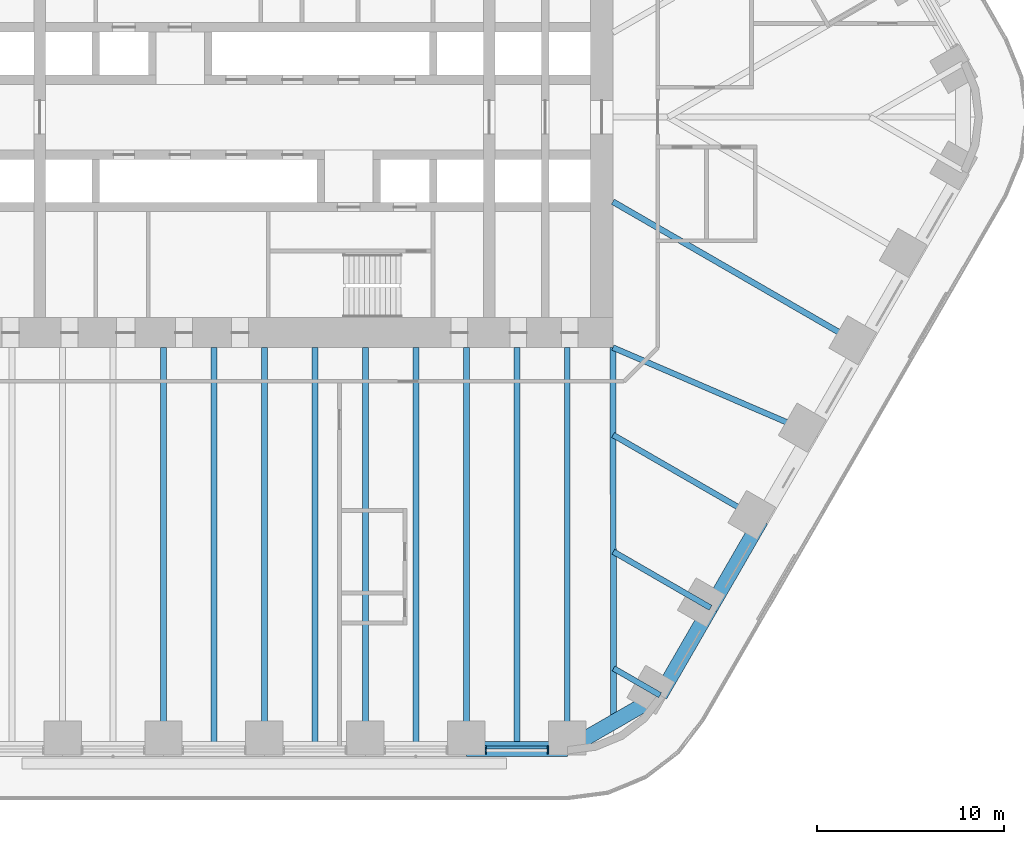
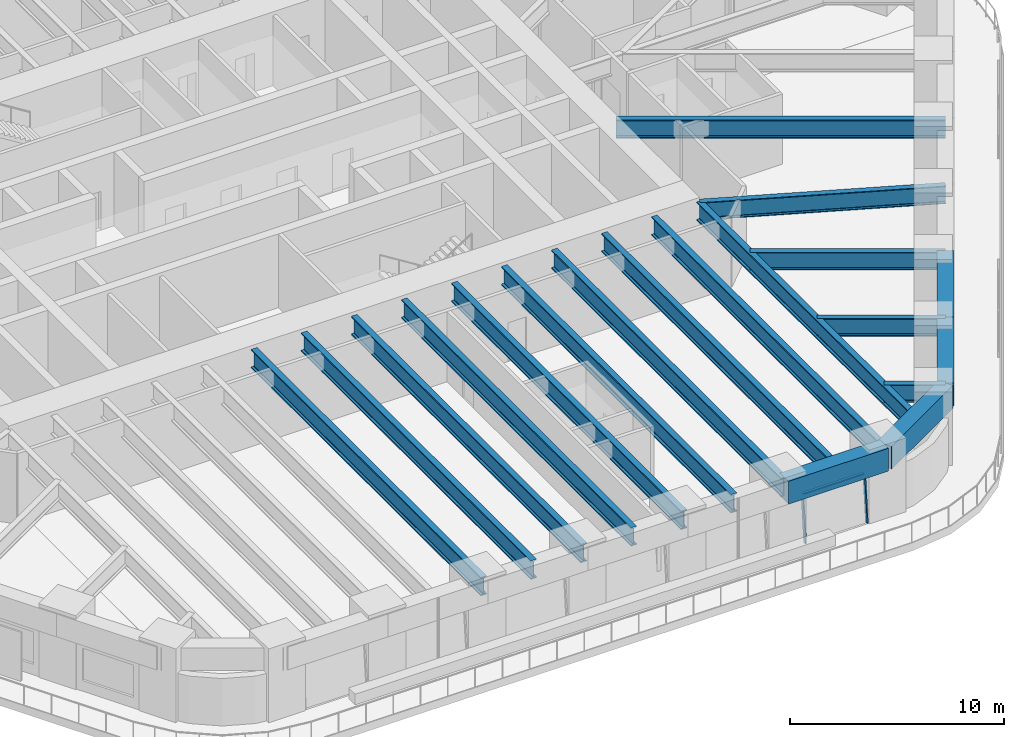
# One storey, part 5 of 23: 19 beams, 3 members, 1 element without a shape of its own.
"""IFC4 building model written with IfcOpenShell, lengths in metres."""

from ifc_helpers import new_model, si_unit, direction, frame, origin, origin_2d, place, context, subcontext, project, spatial, rectangle, i_section, extrude, material, material_profile, profile_set, type_object, element, aggregate, save


model = new_model("IFC4")

# Units and contexts
model_context = context("Model", 3, precision=1e-05, world=origin(), true_north=direction((0.0, 1.0)))
body_context = subcontext(model_context, "Body", "Model", "MODEL_VIEW")
ifc_project = project(units=[si_unit("LENGTHUNIT", "METRE"), si_unit("AREAUNIT", "SQUARE_METRE"), si_unit("VOLUMEUNIT", "CUBIC_METRE"), si_unit("PLANEANGLEUNIT", "RADIAN"), si_unit("MASSUNIT", "GRAM", prefix="KILO")], contexts=[model_context])

# Site, building, storey
site_placement = place(None, origin())
site = spatial("IfcSite", under=ifc_project, at=site_placement, CompositionType="ELEMENT")
building_placement = place(site_placement, origin())
building = spatial("IfcBuilding", under=site, at=building_placement, Name="Tarfa Lantern Tower", CompositionType="ELEMENT")
storey_placement = place(building_placement, frame((0.0, 0.0, 48.699951171875)))
storey = spatial("IfcBuildingStorey", under=building, at=storey_placement, Name="L10", CompositionType="ELEMENT", Elevation=48.699951171875)

# Curtain wall, members
ifc_material_1 = material(Name="Aluminium framed curtain wall", Category="aluminium")
curtain_wall_type = type_object("IfcCurtainWallType", Name="CW1 CANTED GLAZING LOW ZONE 2700", PredefinedType="USERDEFINED", material=ifc_material_1)
curtain_wall_placement = place(storey_placement, origin())
curtain_wall = element("IfcCurtainWall", 1, at=curtain_wall_placement, inside=storey, type_object=curtain_wall_type, Name="CW1 S L10", ObjectType="CURTAIN WALL", PredefinedType="USERDEFINED")
ifc_material_2 = material(Name="Aluminium mullion", Category="aluminium")
ifc_material_profile_1 = material_profile(ifc_material_2, rectangle(XDim=0.06494140625, YDim=0.199951171875, at=origin_2d()), Name="AL MULLION 65x200")
ifc_profile_set_1 = profile_set([ifc_material_profile_1], Name="Aluminium mullion")
member_type_1 = type_object("IfcMemberType", Name="CWM1 MULLION 65x200", PredefinedType="MULLION", material=ifc_profile_set_1)
member_1_placement = place(storey_placement, frame((11.809814453125, -33.89990234375, 0.0), z_axis=(0.0, 0.092199863775, 0.995740520979), x_axis=(-1.0, 0.0, 0.0)))
member_1 = element("IfcMember", 2, at=member_1_placement, type_object=member_type_1, Name="CW1 mullion 1", PredefinedType="MULLION", context=body_context, shape_type="SweptSolid", body=[
    extrude(rectangle(XDim=0.06494140625, YDim=0.199951171875, at=origin_2d()), origin(), (0.0, 0.0, 1.0), 2.71142578125),
])
member_2_placement = place(storey_placement, frame((15.13330078125, -33.89990234375, 0.0), z_axis=(0.0, 0.092199863775, 0.995740520979), x_axis=(-1.0, 0.0, 0.0)))
member_2 = element("IfcMember", 3, at=member_2_placement, type_object=member_type_1, Name="CW1 mullion 2", PredefinedType="MULLION", context=body_context, shape_type="SweptSolid", body=[
    extrude(rectangle(XDim=0.06494140625, YDim=0.199951171875, at=origin_2d()), origin(), (0.0, 0.0, 1.0), 2.71142578125),
])
ifc_material_3 = material(Name="Aluminium transom", Category="aluminium")
ifc_material_profile_2 = material_profile(ifc_material_3, rectangle(XDim=0.14990234375, YDim=0.06494140625, at=origin_2d()), Name="AL TRANSOM 150x65")
ifc_profile_set_2 = profile_set([ifc_material_profile_2], Name="Aluminium transom")
member_type_2 = type_object("IfcMemberType", Name="CWT1 TRANSOM 150x65", PredefinedType="USERDEFINED", material=ifc_profile_set_2)
member_3_placement = place(storey_placement, frame((11.84228515625, -33.653076171875, 2.66748046875), z_axis=(1.0, 0.0, 0.0), x_axis=(0.0, 1.0, 0.0)))
member_3 = element("IfcMember", 4, at=member_3_placement, type_object=member_type_2, Name="CW1 transom 1.2", ObjectType="TRANSOM", PredefinedType="USERDEFINED", context=body_context, shape_type="SweptSolid", body=[
    extrude(rectangle(XDim=0.14990234375, YDim=0.06494140625, at=origin_2d()), origin(), (0.0, 0.0, 1.0), 3.258544921875),
])
aggregate(curtain_wall, [member_1, member_2, member_3])

# Beams
ifc_material_4 = material(Name="Concrete C80/95", Category="concrete")
ifc_material_profile_3 = material_profile(ifc_material_4, rectangle(XDim=0.800048828125, YDim=1.300048828125, at=origin_2d()), Name="RC 800x1300")
ifc_profile_set_3 = profile_set([ifc_material_profile_3], Name="Concrete C80/95")
beam_type_1 = type_object("IfcBeamType", Name="EB1 RC 800x1300", PredefinedType="SPANDREL", material=ifc_profile_set_3)
beam_1_placement = place(storey_placement, frame((10.777099609375, -33.719970703125, 3.35009765625), z_axis=(1.0, 0.0, 0.0), x_axis=(0.0, 1.0, 0.0)))
element("IfcBeam", 5, at=beam_1_placement, inside=storey, type_object=beam_type_1, Name="Edge beam S5", PredefinedType="SPANDREL", context=body_context, shape_type="SweptSolid", body=[
    extrude(rectangle(XDim=0.800048828125, YDim=1.300048828125, at=origin_2d()), origin(), (0.0, 0.0, 1.0), 5.388671875),
])
beam_2_placement = place(storey_placement, frame((16.165771484375, -33.719970703125, 3.35009765625), z_axis=(0.866033479681, 0.499986011877, 0.0), x_axis=(-0.499986011877, 0.866033479681, 0.0)))
element("IfcBeam", 6, at=beam_2_placement, inside=storey, type_object=beam_type_1, Name="Edge beam S6", PredefinedType="SPANDREL", context=body_context, shape_type="SweptSolid", body=[
    extrude(rectangle(XDim=0.800048828125, YDim=1.300048828125, at=origin_2d()), origin(), (0.0, 0.0, 1.0), 5.719970703125),
])
for number, where, z_axis, x_axis, name in (
    (7, (21.119384765625, -30.860107421875, 3.35009765625), (0.499998287579, 0.866026392449, 0.0), (-0.866026392449, 0.499998287579, 0.0), "Edge beam SE0"),
    (8, (23.813720703125, -26.193359375, 3.35009765625), (0.499998287579, 0.866026392449, 0.0), (-0.866026392449, 0.499998287579, 0.0), "Edge beam SE1"),
):
    element("IfcBeam", number, at=place(storey_placement, frame(where, z_axis=z_axis, x_axis=x_axis)), inside=storey, type_object=beam_type_1, Name=name, PredefinedType="SPANDREL", context=body_context, shape_type="SweptSolid", body=[
        extrude(rectangle(XDim=0.800048828125, YDim=1.300048828125, at=origin_2d()), origin(), (0.0, 0.0, 1.0), 5.388671875),
    ])
ifc_material_5 = material(Name="Steel S460M", Category="steel")
ifc_material_profile_4 = material_profile(ifc_material_5, i_section(OverallWidth=0.302001953125, OverallDepth=1.008056640625, WebThickness=0.02099609375, FlangeThickness=0.0400390625, FilletRadius=0.030029296875, at=origin_2d()), Name="UB1016x305x349")
ifc_profile_set_4 = profile_set([ifc_material_profile_4], Name="Steel S460M")
beam_type_2 = type_object("IfcBeamType", Name="UB1016x305x349", PredefinedType="BEAM", material=ifc_profile_set_4)
beam_3_placement = place(storey_placement, frame((21.119384765625, -30.860107421875, 3.49609375), z_axis=(-0.866012580594, 0.500022209759, 0.0), x_axis=(-0.500022209759, -0.866012580594, 0.0)))
element("IfcBeam", 9, at=beam_3_placement, inside=storey, type_object=beam_type_2, Name="Floor beam SE0", PredefinedType="BEAM", context=body_context, shape_type="SweptSolid", body=[
    extrude(i_section(OverallWidth=0.302001953125, OverallDepth=1.008056640625, WebThickness=0.02099609375, FlangeThickness=0.0400390625, FilletRadius=0.030029296875, at=origin_2d()), origin(), (0.0, 0.0, 1.0), 2.866943359375),
])
beam_4_placement = place(storey_placement, frame((23.813720703125, -26.193359375, 3.49609375), z_axis=(-0.866015997389, 0.500016292001, 0.0), x_axis=(-0.500016292001, -0.866015997389, 0.0)))
element("IfcBeam", 10, at=beam_4_placement, inside=storey, type_object=beam_type_2, Name="Floor beam SE1", PredefinedType="BEAM", context=body_context, shape_type="SweptSolid", body=[
    extrude(i_section(OverallWidth=0.302001953125, OverallDepth=1.008056640625, WebThickness=0.02099609375, FlangeThickness=0.0400390625, FilletRadius=0.030029296875, at=origin_2d()), origin(), (0.0, 0.0, 1.0), 5.993408203125),
])
beam_5_placement = place(storey_placement, frame((26.508056640625, -21.526611328125, 3.49609375), z_axis=(-0.866035355799, 0.49998276221, 0.0), x_axis=(-0.49998276221, -0.866035355799, 0.0)))
element("IfcBeam", 11, at=beam_5_placement, inside=storey, type_object=beam_type_2, Name="Floor beam SE2", PredefinedType="BEAM", context=body_context, shape_type="SweptSolid", body=[
    extrude(i_section(OverallWidth=0.302001953125, OverallDepth=1.008056640625, WebThickness=0.02099609375, FlangeThickness=0.0400390625, FilletRadius=0.030029296875, at=origin_2d()), origin(), (0.0, 0.0, 1.0), 9.119873046875),
])
beam_6_placement = place(storey_placement, frame((29.202392578125, -16.860107421875, 3.49609375), z_axis=(-0.918635483867, 0.395106122175, 0.0), x_axis=(-0.395106122175, -0.918635483867, 0.0)))
element("IfcBeam", 12, at=beam_6_placement, inside=storey, type_object=beam_type_2, Name="Floor beam SE3", PredefinedType="BEAM", context=body_context, shape_type="SweptSolid", body=[
    extrude(i_section(OverallWidth=0.302001953125, OverallDepth=1.008056640625, WebThickness=0.02099609375, FlangeThickness=0.0400390625, FilletRadius=0.030029296875, at=origin_2d()), origin(), (0.0, 0.0, 1.0), 11.541259765625),
])
ifc_material_profile_5 = material_profile(ifc_material_5, i_section(OverallWidth=0.314208984375, OverallDepth=1.055908203125, WebThickness=0.035888671875, FlangeThickness=0.06396484375, FilletRadius=0.030029296875, at=origin_2d()), Name="UB1016x305x584")
ifc_profile_set_5 = profile_set([ifc_material_profile_5], Name="Steel S460M")
beam_type_3 = type_object("IfcBeamType", Name="UB1016x305x584", PredefinedType="BEAM", material=ifc_profile_set_5)
beam_7_placement = place(storey_placement, frame((18.60009765625, -12.300048828125, 3.47216796875), z_axis=(0.00212508222, -0.99999774201, 0.0), x_axis=(0.99999774201, 0.00212508222, 0.0)))
element("IfcBeam", 13, at=beam_7_placement, inside=storey, type_object=beam_type_3, Name="Hip girder SE", PredefinedType="BEAM", context=body_context, shape_type="SweptSolid", body=[
    extrude(i_section(OverallWidth=0.314208984375, OverallDepth=1.055908203125, WebThickness=0.035888671875, FlangeThickness=0.06396484375, FilletRadius=0.030029296875, at=origin_2d()), origin(), (0.0, 0.0, 1.0), 19.989990234375),
])
for number, where, z_axis, x_axis, name in (
    (14, (-5.388671875, -33.719970703125, 3.47216796875), (0.0, 1.0, 0.0), (-1.0, 0.0, 0.0), "Floor beam S2"),
    (15, (0.0, -33.719970703125, 3.47216796875), (0.0, 1.0, 0.0), (-1.0, 0.0, 0.0), "Floor beam S3"),
    (16, (5.388671875, -33.719970703125, 3.47216796875), (0.0, 1.0, 0.0), (-1.0, 0.0, 0.0), "Floor beam S4"),
    (17, (10.777099609375, -33.719970703125, 3.47216796875), (0.0, 1.0, 0.0), (-1.0, 0.0, 0.0), "Floor beam S5"),
    (18, (16.165771484375, -33.719970703125, 3.47216796875), (0.0, 1.0, 0.0), (-1.0, 0.0, 0.0), "Floor beam S6"),
):
    element("IfcBeam", number, at=place(storey_placement, frame(where, z_axis=z_axis, x_axis=x_axis)), inside=storey, type_object=beam_type_3, Name=name, PredefinedType="BEAM", context=body_context, shape_type="SweptSolid", body=[
        extrude(i_section(OverallWidth=0.314208984375, OverallDepth=1.055908203125, WebThickness=0.035888671875, FlangeThickness=0.06396484375, FilletRadius=0.030029296875, at=origin_2d()), origin(), (0.0, 0.0, 1.0), 21.419921875),
    ])
beam_8_placement = place(storey_placement, frame((31.896728515625, -12.193359375, 3.47216796875), z_axis=(-0.866026971665, 0.499997284341, 0.0), x_axis=(-0.499997284341, -0.866026971665, 0.0)))
element("IfcBeam", 19, at=beam_8_placement, inside=storey, type_object=beam_type_3, Name="Floor beam SE4", PredefinedType="BEAM", context=body_context, shape_type="SweptSolid", body=[
    extrude(i_section(OverallWidth=0.314208984375, OverallDepth=1.055908203125, WebThickness=0.035888671875, FlangeThickness=0.06396484375, FilletRadius=0.030029296875, at=origin_2d()), origin(), (0.0, 0.0, 1.0), 15.353515625),
])
for number, where, z_axis, x_axis, name in (
    (20, (-2.6943359375, -33.719970703125, 3.47216796875), (0.0, 1.0, 0.0), (-1.0, 0.0, 0.0), "Floor beam S2M"),
    (21, (2.6943359375, -33.719970703125, 3.47216796875), (0.0, 1.0, 0.0), (-1.0, 0.0, 0.0), "Floor beam S3M"),
    (22, (8.0830078125, -33.719970703125, 3.47216796875), (0.0, 1.0, 0.0), (-1.0, 0.0, 0.0), "Floor beam S4M"),
    (23, (13.471435546875, -33.719970703125, 3.47216796875), (0.0, 1.0, 0.0), (-1.0, 0.0, 0.0), "Floor beam S5M"),
):
    element("IfcBeam", number, at=place(storey_placement, frame(where, z_axis=z_axis, x_axis=x_axis)), inside=storey, type_object=beam_type_3, Name=name, PredefinedType="BEAM", context=body_context, shape_type="SweptSolid", body=[
        extrude(i_section(OverallWidth=0.314208984375, OverallDepth=1.055908203125, WebThickness=0.035888671875, FlangeThickness=0.06396484375, FilletRadius=0.030029296875, at=origin_2d()), origin(), (0.0, 0.0, 1.0), 21.419921875),
    ])

save(model, "model.ifc")
